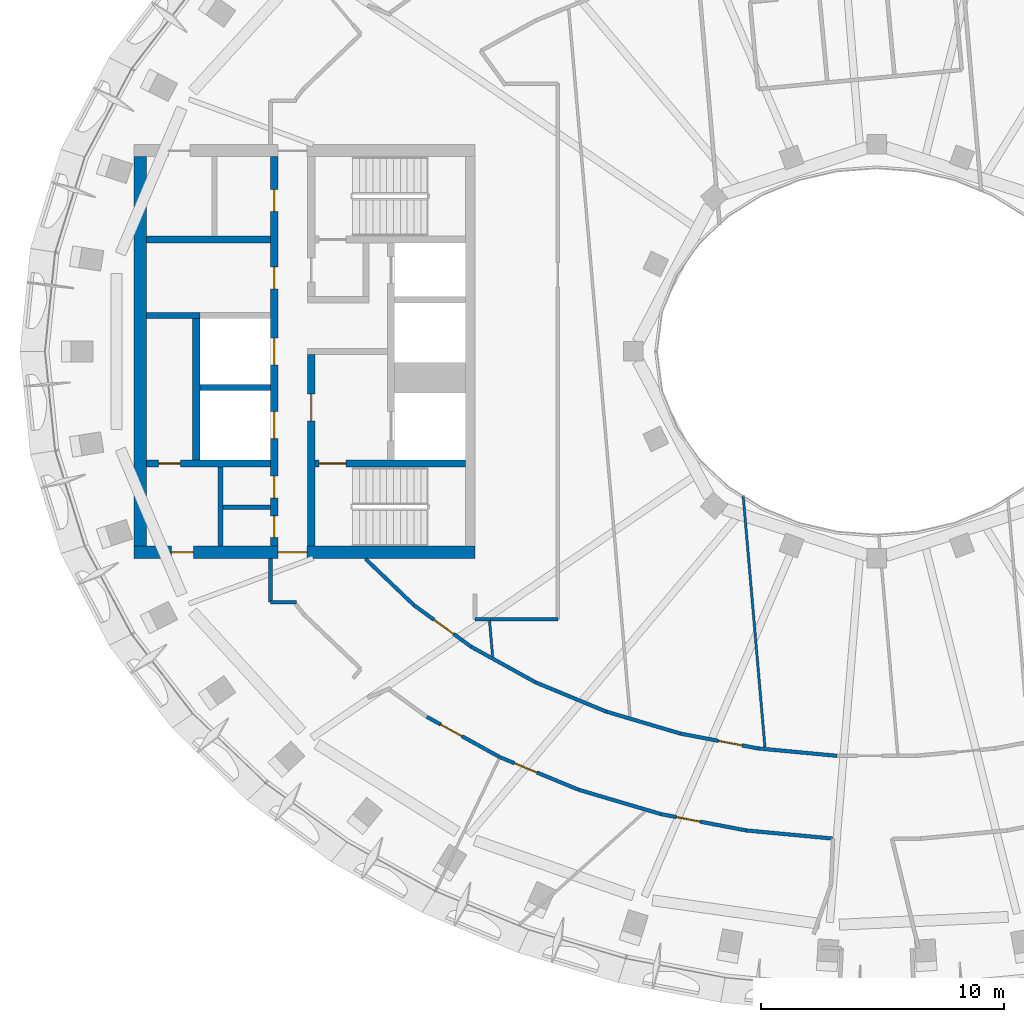
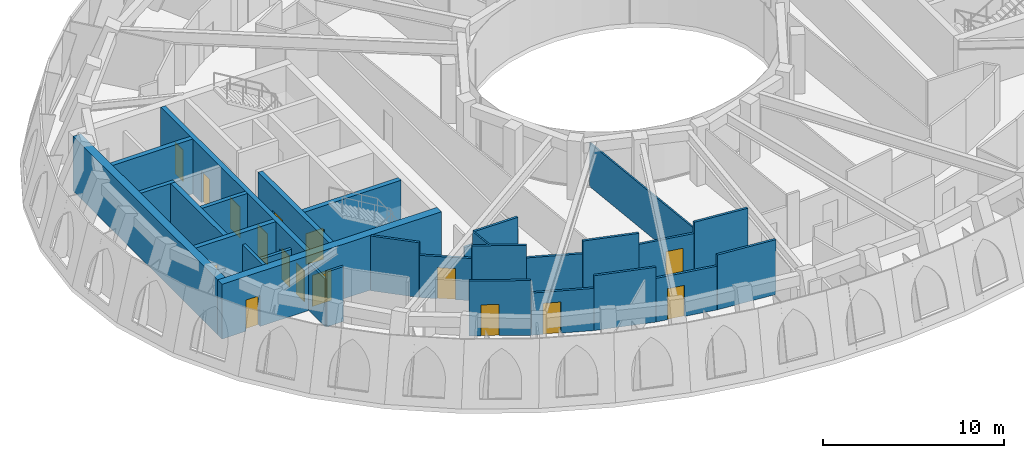
# One storey, part 3 of 14: 30 walls, 16 doors, 16 openings.
"""IFC4 building model written with IfcOpenShell, lengths in metres."""

from ifc_helpers import new_model, si_unit, direction, frame, frame_2d, origin, place, context, subcontext, project, spatial, rectangle, extrude, material, layer, layer_set, type_object, element, fill, save


model = new_model("IFC4")

# Units and contexts
model_context = context("Model", 3, precision=1e-05, world=origin(), true_north=direction((0.0, 1.0)))
body_context = subcontext(model_context, "Body", "Model", "MODEL_VIEW")
ifc_project = project(units=[si_unit("LENGTHUNIT", "METRE"), si_unit("AREAUNIT", "SQUARE_METRE"), si_unit("VOLUMEUNIT", "CUBIC_METRE"), si_unit("PLANEANGLEUNIT", "RADIAN"), si_unit("MASSUNIT", "GRAM", prefix="KILO")], contexts=[model_context])

# Site, building, storey
site_placement = place(None, origin())
site = spatial("IfcSite", under=ifc_project, at=site_placement, CompositionType="ELEMENT")
building_placement = place(site_placement, origin())
building = spatial("IfcBuilding", under=site, at=building_placement, Name="Noorbagh Ring Tower", CompositionType="ELEMENT")
storey_placement = place(building_placement, frame((0.0, 0.0, 339.0)))
storey = spatial("IfcBuildingStorey", under=building, at=storey_placement, Name="L74", CompositionType="ELEMENT", Elevation=339.0)

# Walls
ifc_material_1 = material(Name="Gypsum board on steel studs", Category="steel")
ifc_layer_1 = layer(ifc_material_1, 0.199951171875)
ifc_layer_set_1 = layer_set([ifc_layer_1], Name="Gypsum board on steel studs")
wall_type_1 = type_object("IfcWallType", Name="CORE-PARTITION-200", PredefinedType="PARTITIONING", material=ifc_layer_set_1)
wall_1_placement = place(storey_placement, frame((-26.949951171875, -8.0, 0.0), z_axis=(0.0, 0.0, 1.0), x_axis=(0.0, 1.0, 0.0)))
element("IfcWall", 1, at=wall_1_placement, inside=storey, type_object=wall_type_1, Name="Core partition W", PredefinedType="PARTITIONING", context=body_context, shape_type="SweptSolid", body=[
    extrude(rectangle(XDim=3.25, YDim=0.199951171875, at=frame_2d((1.625, 0.0))), origin(), (0.0, 0.0, 1.0), 2.89990234375),
])
wall_2_placement = place(storey_placement, frame((-24.89990234375, -6.39990234375, 0.0), z_axis=(0.0, 0.0, 1.0), x_axis=(-1.0, 0.0, 0.0)))
element("IfcWall", 2, at=wall_2_placement, inside=storey, type_object=wall_type_1, Name="Core partition W", PredefinedType="PARTITIONING", context=body_context, shape_type="SweptSolid", body=[
    extrude(rectangle(XDim=1.9501953125, YDim=0.199951171875, at=frame_2d((0.97509765625, 0.0))), origin(), (0.0, 0.0, 1.0), 2.89990234375),
])
ifc_material_2 = material(Name="Concrete C50/60", Category="concrete")
ifc_layer_2 = layer(ifc_material_2, 0.25)
ifc_layer_set_2 = layer_set([ifc_layer_2], Name="Concrete C50/60")
wall_type_2 = type_object("IfcWallType", Name="CORE-WALL-250-C50-60-EI120", PredefinedType="SHEAR", material=ifc_layer_set_2)
wall_3_placement = place(storey_placement, frame((-27.800048828125, 1.47509765625, 0.0), z_axis=(0.0, 0.0, 1.0), x_axis=(-1.0, 0.0, 0.0)))
element("IfcWall", 3, at=wall_3_placement, inside=storey, type_object=wall_type_2, Name="Core wall W", PredefinedType="SHEAR", context=body_context, shape_type="SweptSolid", body=[
    extrude(rectangle(XDim=2.199951171875, YDim=0.25, at=frame_2d((1.10009765625, 0.0))), origin(), (0.0, 0.0, 1.0), 3.699951171875),
])
wall_4_placement = place(storey_placement, frame((-24.89990234375, -1.47509765625, 0.0), z_axis=(0.0, 0.0, 1.0), x_axis=(-1.0, 0.0, 0.0)))
element("IfcWall", 4, at=wall_4_placement, inside=storey, type_object=wall_type_2, Name="Core wall W", PredefinedType="SHEAR", context=body_context, shape_type="SweptSolid", body=[
    extrude(rectangle(XDim=2.900146484375, YDim=0.25, at=frame_2d((1.4501953125, 0.0))), origin(), (0.0, 0.0, 1.0), 3.699951171875),
])
ifc_material_3 = material(Name="Concrete C50/60", Category="concrete")
ifc_layer_3 = layer(ifc_material_3, 0.300048828125)
ifc_layer_set_3 = layer_set([ifc_layer_3], Name="Concrete C50/60")
wall_type_3 = type_object("IfcWallType", Name="CORE-WALL-300-C50-60-EI120", PredefinedType="SHEAR", material=ifc_layer_set_3)
wall_5_placement = place(storey_placement, frame((-27.949951171875, -4.449951171875, 0.0), z_axis=(0.0, 0.0, 1.0), x_axis=(0.0, 1.0, 0.0)))
element("IfcWall", 5, at=wall_5_placement, inside=storey, type_object=wall_type_3, Name="Core wall W", PredefinedType="SHEAR", context=body_context, shape_type="SweptSolid", body=[
    extrude(rectangle(XDim=5.800048828125, YDim=0.300048828125, at=frame_2d((2.89990234375, 0.0))), origin(), (0.0, 0.0, 1.0), 3.699951171875),
])

# Wall, openings, doors
wall_6_placement = place(storey_placement, frame((-24.75, -8.0, 0.0), z_axis=(0.0, 0.0, 1.0), x_axis=(0.0, 1.0, 0.0)))
wall_6 = element("IfcWall", 6, at=wall_6_placement, inside=storey, type_object=wall_type_3, Name="Core wall W", PredefinedType="SHEAR", context=body_context, shape_type="SweptSolid", body=[
    extrude(rectangle(XDim=16.0, YDim=0.300048828125, at=frame_2d((8.0, 0.0))), origin(), (0.0, 0.0, 1.0), 3.699951171875),
])
opening_1_placement = place(wall_6_placement, frame((4.425048828125, 0.0, 0.0)))
opening_1 = element("IfcOpeningElement", 7, at=opening_1_placement, cuts=wall_6, Name="Opening L74-CW03", PredefinedType="OPENING", context=body_context, shape_type="SweptSolid", body=[
    extrude(rectangle(XDim=1.10009765625, YDim=2.10009765625, at=frame_2d((0.550048828125, 1.050048828125))), frame((0.0, 0.16015625, 0.0), z_axis=(0.0, -1.0, 0.0), x_axis=(1.0, 0.0, 0.0)), (0.0, 0.0, 1.0), 0.320068359375),
])
opening_2_placement = place(wall_6_placement, frame((7.449951171875, 0.0, 0.0)))
opening_2 = element("IfcOpeningElement", 8, at=opening_2_placement, cuts=wall_6, Name="Opening L74-CW04", PredefinedType="OPENING", context=body_context, shape_type="SweptSolid", body=[
    extrude(rectangle(XDim=1.10009765625, YDim=2.10009765625, at=frame_2d((0.550048828125, 1.050048828125))), frame((0.0, 0.16015625, 0.0), z_axis=(0.0, -1.0, 0.0), x_axis=(1.0, 0.0, 0.0)), (0.0, 0.0, 1.0), 0.320068359375),
])
opening_3_placement = place(wall_6_placement, frame((10.574951171875, 0.0, 0.0)))
opening_3 = element("IfcOpeningElement", 9, at=opening_3_placement, cuts=wall_6, Name="Opening L74-CW11", PredefinedType="OPENING", context=body_context, shape_type="SweptSolid", body=[
    extrude(rectangle(XDim=0.89990234375, YDim=2.10009765625, at=frame_2d((0.449951171875, 1.050048828125))), frame((0.0, 0.16015625, 0.0), z_axis=(0.0, -1.0, 0.0), x_axis=(1.0, 0.0, 0.0)), (0.0, 0.0, 1.0), 0.320068359375),
])
opening_4_placement = place(wall_6_placement, frame((13.75, 0.0, 0.0)))
opening_4 = element("IfcOpeningElement", 10, at=opening_4_placement, cuts=wall_6, Name="Opening L74-CW12", PredefinedType="OPENING", context=body_context, shape_type="SweptSolid", body=[
    extrude(rectangle(XDim=0.89990234375, YDim=2.10009765625, at=frame_2d((0.449951171875, 1.050048828125))), frame((0.0, 0.16015625, 0.0), z_axis=(0.0, -1.0, 0.0), x_axis=(1.0, 0.0, 0.0)), (0.0, 0.0, 1.0), 0.320068359375),
])
opening_5_placement = place(wall_6_placement, frame((1.97509765625, 0.0, 0.0)))
opening_5 = element("IfcOpeningElement", 11, at=opening_5_placement, cuts=wall_6, Name="Opening L74-CW14", PredefinedType="OPENING", context=body_context, shape_type="SweptSolid", body=[
    extrude(rectangle(XDim=0.89990234375, YDim=2.10009765625, at=frame_2d((0.449951171875, 1.050048828125))), frame((0.0, 0.16015625, 0.0), z_axis=(0.0, -1.0, 0.0), x_axis=(1.0, 0.0, 0.0)), (0.0, 0.0, 1.0), 0.320068359375),
])
opening_6_placement = place(wall_6_placement, frame((0.35009765625, 0.0, 0.0)))
opening_6 = element("IfcOpeningElement", 12, at=opening_6_placement, cuts=wall_6, Name="Opening L74-CW15", PredefinedType="OPENING", context=body_context, shape_type="SweptSolid", body=[
    extrude(rectangle(XDim=0.89990234375, YDim=2.10009765625, at=frame_2d((0.449951171875, 1.050048828125))), frame((0.0, 0.16015625, 0.0), z_axis=(0.0, -1.0, 0.0), x_axis=(1.0, 0.0, 0.0)), (0.0, 0.0, 1.0), 0.320068359375),
])
ifc_material_4 = material(Name="Steel door leaf", Category="steel")
door_type_1 = type_object("IfcDoorType", Name="CORE-DOOR-DROOM", OperationType="SINGLE_SWING_LEFT", PredefinedType="DOOR", material=ifc_material_4)
door_1_placement = place(opening_3_placement, origin())
door_1 = element("IfcDoor", 13, at=door_1_placement, inside=storey, type_object=door_type_1, Name="Core room door L74-CW11", OperationType="SINGLE_SWING_RIGHT", OverallHeight=2.10009765625, OverallWidth=0.89990234375, PredefinedType="DOOR", context=body_context, shape_type="SweptSolid", body=[
    extrude(rectangle(XDim=0.89990234375, YDim=2.10009765625, at=frame_2d((0.449951171875, 1.050048828125))), frame((0.0, 0.02490234375, 0.0), z_axis=(0.0, -1.0, 0.0), x_axis=(1.0, 0.0, 0.0)), (0.0, 0.0, 1.0), 0.050048828125),
])
fill(opening_3, door_1)
door_2_placement = place(opening_4_placement, origin())
door_2 = element("IfcDoor", 14, at=door_2_placement, inside=storey, type_object=door_type_1, Name="Core room door L74-CW12", OperationType="SINGLE_SWING_RIGHT", OverallHeight=2.10009765625, OverallWidth=0.89990234375, PredefinedType="DOOR", context=body_context, shape_type="SweptSolid", body=[
    extrude(rectangle(XDim=0.89990234375, YDim=2.10009765625, at=frame_2d((0.449951171875, 1.050048828125))), frame((0.0, 0.02490234375, 0.0), z_axis=(0.0, -1.0, 0.0), x_axis=(1.0, 0.0, 0.0)), (0.0, 0.0, 1.0), 0.050048828125),
])
fill(opening_4, door_2)
door_3_placement = place(opening_5_placement, origin())
door_3 = element("IfcDoor", 15, at=door_3_placement, inside=storey, type_object=door_type_1, Name="Core room door L74-CW14", OperationType="SINGLE_SWING_RIGHT", OverallHeight=2.10009765625, OverallWidth=0.89990234375, PredefinedType="DOOR", context=body_context, shape_type="SweptSolid", body=[
    extrude(rectangle(XDim=0.89990234375, YDim=2.10009765625, at=frame_2d((0.449951171875, 1.050048828125))), frame((0.0, 0.02490234375, 0.0), z_axis=(0.0, -1.0, 0.0), x_axis=(1.0, 0.0, 0.0)), (0.0, 0.0, 1.0), 0.050048828125),
])
fill(opening_5, door_3)
door_4_placement = place(opening_6_placement, origin())
door_4 = element("IfcDoor", 16, at=door_4_placement, inside=storey, type_object=door_type_1, Name="Core room door L74-CW15", OperationType="SINGLE_SWING_LEFT", OverallHeight=2.10009765625, OverallWidth=0.89990234375, PredefinedType="DOOR", context=body_context, shape_type="SweptSolid", body=[
    extrude(rectangle(XDim=0.89990234375, YDim=2.10009765625, at=frame_2d((0.449951171875, 1.050048828125))), frame((0.0, 0.02490234375, 0.0), z_axis=(0.0, -1.0, 0.0), x_axis=(1.0, 0.0, 0.0)), (0.0, 0.0, 1.0), 0.050048828125),
])
fill(opening_6, door_4)
ifc_material_5 = material(Name="Steel door leaf", Category="steel")
door_type_2 = type_object("IfcDoorType", Name="CORE-DOOR-LD", OperationType="DOUBLE_DOOR_SLIDING", PredefinedType="DOOR", material=ifc_material_5)
door_5_placement = place(opening_1_placement, origin())
door_5 = element("IfcDoor", 17, at=door_5_placement, inside=storey, type_object=door_type_2, Name="Landing door HR5 L74-CW03", OperationType="DOUBLE_DOOR_SLIDING", OverallHeight=2.10009765625, OverallWidth=1.10009765625, PredefinedType="DOOR", context=body_context, shape_type="SweptSolid", body=[
    extrude(rectangle(XDim=1.10009765625, YDim=2.10009765625, at=frame_2d((0.550048828125, 1.050048828125))), frame((0.0, 0.02490234375, 0.0), z_axis=(0.0, -1.0, 0.0), x_axis=(1.0, 0.0, 0.0)), (0.0, 0.0, 1.0), 0.050048828125),
])
fill(opening_1, door_5)
door_6_placement = place(opening_2_placement, origin())
door_6 = element("IfcDoor", 18, at=door_6_placement, inside=storey, type_object=door_type_2, Name="Landing door HR6 L74-CW04", OperationType="DOUBLE_DOOR_SLIDING", OverallHeight=2.10009765625, OverallWidth=1.10009765625, PredefinedType="DOOR", context=body_context, shape_type="SweptSolid", body=[
    extrude(rectangle(XDim=1.10009765625, YDim=2.10009765625, at=frame_2d((0.550048828125, 1.050048828125))), frame((0.0, 0.02490234375, 0.0), z_axis=(0.0, -1.0, 0.0), x_axis=(1.0, 0.0, 0.0)), (0.0, 0.0, 1.0), 0.050048828125),
])
fill(opening_2, door_6)

# Wall
ifc_material_6 = material(Name="Concrete C50/60", Category="concrete")
ifc_layer_4 = layer(ifc_material_6, 0.300048828125)
ifc_layer_set_4 = layer_set([ifc_layer_4], Name="Concrete C50/60")
wall_type_4 = type_object("IfcWallType", Name="CORE-WALL-300-C50-60-EI240", PredefinedType="SHEAR", material=ifc_layer_set_4)
wall_7_placement = place(storey_placement, frame((-24.89990234375, 4.60009765625, 0.0), z_axis=(0.0, 0.0, 1.0), x_axis=(-1.0, 0.0, 0.0)))
element("IfcWall", 19, at=wall_7_placement, inside=storey, type_object=wall_type_4, Name="Core wall W", PredefinedType="SHEAR", context=body_context, shape_type="SweptSolid", body=[
    extrude(rectangle(XDim=5.10009765625, YDim=0.300048828125, at=frame_2d((2.550048828125, 0.0))), origin(), (0.0, 0.0, 1.0), 3.699951171875),
])

# Wall, opening, door
wall_8_placement = place(storey_placement, frame((-24.89990234375, -4.60009765625, 0.0), z_axis=(0.0, 0.0, 1.0), x_axis=(-1.0, 0.0, 0.0)))
wall_8 = element("IfcWall", 20, at=wall_8_placement, inside=storey, type_object=wall_type_4, Name="Core wall W", PredefinedType="SHEAR", context=body_context, shape_type="SweptSolid", body=[
    extrude(rectangle(XDim=5.10009765625, YDim=0.300048828125, at=frame_2d((2.550048828125, 0.0))), origin(), (0.0, 0.0, 1.0), 3.699951171875),
])
opening_7_placement = place(wall_8_placement, frame((3.699951171875, 0.0, 0.0)))
opening_7 = element("IfcOpeningElement", 21, at=opening_7_placement, cuts=wall_8, Name="Opening L74-CW17", PredefinedType="OPENING", context=body_context, shape_type="SweptSolid", body=[
    extrude(rectangle(XDim=0.89990234375, YDim=2.10009765625, at=frame_2d((0.449951171875, 1.050048828125))), frame((0.0, 0.16015625, 0.0), z_axis=(0.0, -1.0, 0.0), x_axis=(1.0, 0.0, 0.0)), (0.0, 0.0, 1.0), 0.320068359375),
])
door_7_placement = place(opening_7_placement, origin())
door_7 = element("IfcDoor", 22, at=door_7_placement, inside=storey, type_object=door_type_1, Name="Core room door L74-CW17", OperationType="SINGLE_SWING_RIGHT", OverallHeight=2.10009765625, OverallWidth=0.89990234375, PredefinedType="DOOR", context=body_context, shape_type="SweptSolid", body=[
    extrude(rectangle(XDim=0.89990234375, YDim=2.10009765625, at=frame_2d((0.449951171875, 1.050048828125))), frame((0.0, 0.02490234375, 0.0), z_axis=(0.0, -1.0, 0.0), x_axis=(1.0, 0.0, 0.0)), (0.0, 0.0, 1.0), 0.050048828125),
])
fill(opening_7, door_7)

wall_9_placement = place(storey_placement, frame((-23.22998046875, -8.0, 0.0), z_axis=(0.0, 0.0, 1.0), x_axis=(0.0, 1.0, 0.0)))
wall_9 = element("IfcWall", 23, at=wall_9_placement, inside=storey, type_object=wall_type_4, Name="Core wall W", PredefinedType="SHEAR", context=body_context, shape_type="SweptSolid", body=[
    extrude(rectangle(XDim=7.875, YDim=0.300048828125, at=frame_2d((3.9375, 0.0))), origin(), (0.0, 0.0, 1.0), 3.699951171875),
])
opening_8_placement = place(wall_9_placement, frame((5.14990234375, 0.0, 0.0)))
opening_8 = element("IfcOpeningElement", 24, at=opening_8_placement, cuts=wall_9, Name="Opening L74-CW07", PredefinedType="OPENING", context=body_context, shape_type="SweptSolid", body=[
    extrude(rectangle(XDim=1.10009765625, YDim=2.10009765625, at=frame_2d((0.550048828125, 1.050048828125))), frame((0.0, 0.16015625, 0.0), z_axis=(0.0, -1.0, 0.0), x_axis=(1.0, 0.0, 0.0)), (0.0, 0.0, 1.0), 0.320068359375),
])
ifc_material_7 = material(Name="Steel door leaf", Category="steel")
door_type_3 = type_object("IfcDoorType", Name="CORE-DOOR-DFF", OperationType="SINGLE_SWING_LEFT", PredefinedType="DOOR", material=ifc_material_7)
door_8_placement = place(opening_8_placement, origin())
door_8 = element("IfcDoor", 25, at=door_8_placement, inside=storey, type_object=door_type_3, Name="Firefighting lobby door L74-CW07", OperationType="SINGLE_SWING_LEFT", OverallHeight=2.10009765625, OverallWidth=1.10009765625, PredefinedType="DOOR", context=body_context, shape_type="SweptSolid", body=[
    extrude(rectangle(XDim=1.10009765625, YDim=2.10009765625, at=frame_2d((0.550048828125, 1.050048828125))), frame((0.0, 0.02490234375, 0.0), z_axis=(0.0, -1.0, 0.0), x_axis=(1.0, 0.0, 0.0)), (0.0, 0.0, 1.0), 0.050048828125),
])
fill(opening_8, door_8)

wall_10_placement = place(storey_placement, frame((-16.89990234375, -4.60009765625, 0.0), z_axis=(0.0, 0.0, 1.0), x_axis=(-1.0, 0.0, 0.0)))
wall_10 = element("IfcWall", 26, at=wall_10_placement, inside=storey, type_object=wall_type_4, Name="Core wall W", PredefinedType="SHEAR", context=body_context, shape_type="SweptSolid", body=[
    extrude(rectangle(XDim=6.18017578125, YDim=0.300048828125, at=frame_2d((3.090087890625, 0.0))), origin(), (0.0, 0.0, 1.0), 3.699951171875),
])
opening_9_placement = place(wall_10_placement, frame((4.89990234375, 0.0, 0.0)))
opening_9 = element("IfcOpeningElement", 27, at=opening_9_placement, cuts=wall_10, Name="Opening L74-CW06", PredefinedType="OPENING", context=body_context, shape_type="SweptSolid", body=[
    extrude(rectangle(XDim=1.10009765625, YDim=2.10009765625, at=frame_2d((0.550048828125, 1.050048828125))), frame((0.0, 0.16015625, 0.0), z_axis=(0.0, -1.0, 0.0), x_axis=(1.0, 0.0, 0.0)), (0.0, 0.0, 1.0), 0.320068359375),
])
ifc_material_8 = material(Name="Steel door leaf", Category="steel")
door_type_4 = type_object("IfcDoorType", Name="CORE-DOOR-DSTAIR", OperationType="SINGLE_SWING_LEFT", PredefinedType="DOOR", material=ifc_material_8)
door_9_placement = place(opening_9_placement, origin())
door_9 = element("IfcDoor", 28, at=door_9_placement, inside=storey, type_object=door_type_4, Name="Stair door ST2 L74-CW06", OperationType="SINGLE_SWING_LEFT", OverallHeight=2.10009765625, OverallWidth=1.10009765625, PredefinedType="DOOR", context=body_context, shape_type="SweptSolid", body=[
    extrude(rectangle(XDim=1.10009765625, YDim=2.10009765625, at=frame_2d((0.550048828125, 1.050048828125))), frame((0.0, 0.02490234375, 0.0), z_axis=(0.0, -1.0, 0.0), x_axis=(1.0, 0.0, 0.0)), (0.0, 0.0, 1.0), 0.050048828125),
])
fill(opening_9, door_9)

# Wall, openings, doors
ifc_material_9 = material(Name="Concrete C50/60", Category="concrete")
ifc_layer_5 = layer(ifc_material_9, 0.5)
ifc_layer_set_5 = layer_set([ifc_layer_5], Name="Concrete C50/60")
wall_type_5 = type_object("IfcWallType", Name="CORE-WALL-500-C50-60-EI240", PredefinedType="SHEAR", material=ifc_layer_set_5)
wall_11_placement = place(storey_placement, frame((-16.5, -8.25, 0.0), z_axis=(0.0, 0.0, 1.0), x_axis=(-1.0, 0.0, 0.0)))
wall_11 = element("IfcWall", 29, at=wall_11_placement, inside=storey, type_object=wall_type_5, Name="Core wall W", PredefinedType="SHEAR", context=body_context, shape_type="SweptSolid", body=[
    extrude(rectangle(XDim=14.0, YDim=0.5, at=frame_2d((7.0, 0.0))), origin(), (0.0, 0.0, 1.0), 3.699951171875),
])
opening_10_placement = place(wall_11_placement, frame((6.89990234375, 0.0, 0.0)))
opening_10 = element("IfcOpeningElement", 30, at=opening_10_placement, cuts=wall_11, Name="Opening L74-CW10", PredefinedType="OPENING", context=body_context, shape_type="SweptSolid", body=[
    extrude(rectangle(XDim=1.199951171875, YDim=2.10009765625, at=frame_2d((0.60009765625, 1.050048828125))), frame((0.0, 0.260009765625, 0.0), z_axis=(0.0, -1.0, 0.0), x_axis=(1.0, 0.0, 0.0)), (0.0, 0.0, 1.0), 0.52001953125),
])
opening_11_placement = place(wall_11_placement, frame((11.574951171875, 0.0, 0.0)))
opening_11 = element("IfcOpeningElement", 31, at=opening_11_placement, cuts=wall_11, Name="Opening L74-CW16", PredefinedType="OPENING", context=body_context, shape_type="SweptSolid", body=[
    extrude(rectangle(XDim=0.89990234375, YDim=2.10009765625, at=frame_2d((0.449951171875, 1.050048828125))), frame((0.0, 0.260009765625, 0.0), z_axis=(0.0, -1.0, 0.0), x_axis=(1.0, 0.0, 0.0)), (0.0, 0.0, 1.0), 0.52001953125),
])
door_10_placement = place(opening_11_placement, origin())
door_10 = element("IfcDoor", 32, at=door_10_placement, inside=storey, type_object=door_type_1, Name="Core room door L74-CW16", OperationType="SINGLE_SWING_LEFT", OverallHeight=2.10009765625, OverallWidth=0.89990234375, PredefinedType="DOOR", context=body_context, shape_type="SweptSolid", body=[
    extrude(rectangle(XDim=0.89990234375, YDim=2.10009765625, at=frame_2d((0.449951171875, 1.050048828125))), frame((0.0, 0.02490234375, 0.0), z_axis=(0.0, -1.0, 0.0), x_axis=(1.0, 0.0, 0.0)), (0.0, 0.0, 1.0), 0.050048828125),
])
fill(opening_11, door_10)
ifc_material_10 = material(Name="Steel door leaf", Category="steel")
door_type_5 = type_object("IfcDoorType", Name="CORE-DOOR-PORT", OperationType="DOUBLE_DOOR_DOUBLE_SWING", PredefinedType="DOOR", material=ifc_material_10)
door_11_placement = place(opening_10_placement, origin())
door_11 = element("IfcDoor", 33, at=door_11_placement, inside=storey, type_object=door_type_5, Name="Core entrance door L74-CW10", OperationType="DOUBLE_DOOR_DOUBLE_SWING", OverallHeight=2.10009765625, OverallWidth=1.199951171875, PredefinedType="DOOR", context=body_context, shape_type="SweptSolid", body=[
    extrude(rectangle(XDim=1.199951171875, YDim=2.10009765625, at=frame_2d((0.60009765625, 1.050048828125))), frame((0.0, 0.02490234375, 0.0), z_axis=(0.0, -1.0, 0.0), x_axis=(1.0, 0.0, 0.0)), (0.0, 0.0, 1.0), 0.050048828125),
])
fill(opening_10, door_11)

# Walls
wall_12_placement = place(storey_placement, frame((-30.25, -8.0, 0.0), z_axis=(0.0, 0.0, 1.0), x_axis=(0.0, 1.0, 0.0)))
element("IfcWall", 34, at=wall_12_placement, inside=storey, type_object=wall_type_5, Name="Core wall W", PredefinedType="SHEAR", context=body_context, shape_type="SweptSolid", body=[
    extrude(rectangle(XDim=16.0, YDim=0.5, at=frame_2d((8.0, 0.0))), origin(), (0.0, 0.0, 1.0), 3.699951171875),
])
ifc_material_11 = material(Name="Gypsum board on steel studs", Category="steel")
ifc_layer_6 = layer(ifc_material_11, 0.14990234375)
ifc_layer_set_6 = layer_set([ifc_layer_6], Name="Gypsum board on steel studs")
wall_type_6 = type_object("IfcWallType", Name="CORRIDOR PARTITION 150 EI 30", PredefinedType="PARTITIONING", material=ifc_layer_set_6)
wall_13_placement = place(storey_placement, frame((-24.89990234375, -10.300048828125, 0.0), z_axis=(0.0, 0.0, 1.0), x_axis=(0.0, 1.0, 0.0)))
element("IfcWall", 35, at=wall_13_placement, inside=storey, type_object=wall_type_6, Name="L74/wall/P02", PredefinedType="PARTITIONING", context=body_context, shape_type="SweptSolid", body=[
    extrude(rectangle(XDim=1.800048828125, YDim=0.14990234375, at=frame_2d((0.89990234375, 0.0))), origin(), (0.0, 0.0, 1.0), 3.199951171875),
])
wall_14_placement = place(storey_placement, frame((-24.89990234375, -10.300048828125, 0.0), z_axis=(0.0, 0.0, 1.0), x_axis=(1.0, 0.0, 0.0)))
element("IfcWall", 36, at=wall_14_placement, inside=storey, type_object=wall_type_6, Name="L74/wall/P03", PredefinedType="PARTITIONING", context=body_context, shape_type="SweptSolid", body=[
    extrude(rectangle(XDim=1.074951171875, YDim=0.14990234375, at=frame_2d((0.53759765625, 0.0))), origin(), (0.0, 0.0, 1.0), 3.699951171875),
])
wall_15_placement = place(storey_placement, frame((-21.00390625, -8.513916015625, 0.0), z_axis=(0.0, 0.0, 1.0), x_axis=(0.722453650097, -0.691419354272, 0.0)))
element("IfcWall", 37, at=wall_15_placement, inside=storey, type_object=wall_type_6, Name="L74/wall/P12", PredefinedType="PARTITIONING", context=body_context, shape_type="SweptSolid", body=[
    extrude(rectangle(XDim=2.76123046875, YDim=0.14990234375, at=frame_2d((1.380615234375, 0.0))), origin(), (0.0, 0.0, 1.0), 3.699951171875),
])

# Wall, opening, door
wall_16_placement = place(storey_placement, frame((-19.009033203125, -10.423095703125, 0.0), z_axis=(0.0, 0.0, 1.0), x_axis=(0.809504746519, -0.58711333264, 0.0)))
wall_16 = element("IfcWall", 38, at=wall_16_placement, inside=storey, type_object=wall_type_6, Name="L74/wall/P17", PredefinedType="PARTITIONING", context=body_context, shape_type="SweptSolid", body=[
    extrude(rectangle(XDim=2.9091796875, YDim=0.14990234375, at=frame_2d((1.45458984375, 0.0))), origin(), (0.0, 0.0, 1.0), 2.85009765625),
])
opening_12_placement = place(wall_16_placement, frame((1.00927734375, 0.0, 0.0)))
opening_12 = element("IfcOpeningElement", 39, at=opening_12_placement, cuts=wall_16, Name="Opening D1", PredefinedType="OPENING", context=body_context, shape_type="SweptSolid", body=[
    extrude(rectangle(XDim=1.0, YDim=2.10009765625, at=frame_2d((0.5, 1.050048828125))), frame((0.0, 0.0849609375, 0.0), z_axis=(0.0, -1.0, 0.0), x_axis=(1.0, 0.0, 0.0)), (0.0, 0.0, 1.0), 0.169921875),
])
ifc_material_12 = material(Name="Timber, painted", Category="wood")
door_type_6 = type_object("IfcDoorType", Name="DOOR 1000 X 2100 FD30", OperationType="SINGLE_SWING_LEFT", PredefinedType="DOOR", material=ifc_material_12)
door_12_placement = place(opening_12_placement, origin())
door_12 = element("IfcDoor", 40, at=door_12_placement, inside=storey, type_object=door_type_6, Name="L74-D17", OperationType="SINGLE_SWING_LEFT", OverallHeight=2.10009765625, OverallWidth=1.0, PredefinedType="DOOR", context=body_context, shape_type="SweptSolid", body=[
    extrude(rectangle(XDim=1.0, YDim=2.10009765625, at=frame_2d((0.5, 1.050048828125))), frame((0.0, 0.02490234375, 0.0), z_axis=(0.0, -1.0, 0.0), x_axis=(1.0, 0.0, 0.0)), (0.0, 0.0, 1.0), 0.050048828125),
])
fill(opening_12, door_12)

wall_17_placement = place(storey_placement, frame((-18.48095703125, -15.006103515625, 0.0), z_axis=(0.0, 0.0, 1.0), x_axis=(0.875303781325, -0.483573459154, 0.0)))
wall_17 = element("IfcWall", 41, at=wall_17_placement, inside=storey, type_object=wall_type_6, Name="L74/wall/P18", PredefinedType="PARTITIONING", context=body_context, shape_type="SweptSolid", body=[
    extrude(rectangle(XDim=3.407958984375, YDim=0.14990234375, at=frame_2d((1.7041015625, 0.0))), origin(), (0.0, 0.0, 1.0), 3.699951171875),
])
opening_13_placement = place(wall_17_placement, frame((0.64990234375, 0.0, 0.0)))
opening_13 = element("IfcOpeningElement", 42, at=opening_13_placement, cuts=wall_17, Name="Opening D1", PredefinedType="OPENING", context=body_context, shape_type="SweptSolid", body=[
    extrude(rectangle(XDim=1.0, YDim=2.10009765625, at=frame_2d((0.5, 1.050048828125))), frame((0.0, 0.0849609375, 0.0), z_axis=(0.0, -1.0, 0.0), x_axis=(1.0, 0.0, 0.0)), (0.0, 0.0, 1.0), 0.169921875),
])
door_13_placement = place(opening_13_placement, origin())
door_13 = element("IfcDoor", 43, at=door_13_placement, inside=storey, type_object=door_type_6, Name="L74-D05", OperationType="SINGLE_SWING_LEFT", OverallHeight=2.10009765625, OverallWidth=1.0, PredefinedType="DOOR", context=body_context, shape_type="SweptSolid", body=[
    extrude(rectangle(XDim=1.0, YDim=2.10009765625, at=frame_2d((0.5, 1.050048828125))), frame((0.0, 0.02490234375, 0.0), z_axis=(0.0, -1.0, 0.0), x_axis=(1.0, 0.0, 0.0)), (0.0, 0.0, 1.0), 0.050048828125),
])
fill(opening_13, door_13)

# Walls
wall_18_placement = place(storey_placement, frame((-16.654052734375, -12.131103515625, 0.0), z_axis=(0.0, 0.0, 1.0), x_axis=(0.875276554102, -0.483622739167, 0.0)))
element("IfcWall", 44, at=wall_18_placement, inside=storey, type_object=wall_type_6, Name="L74/wall/P22", PredefinedType="PARTITIONING", context=body_context, shape_type="SweptSolid", body=[
    extrude(rectangle(XDim=3.02880859375, YDim=0.14990234375, at=frame_2d((1.514404296875, 0.0))), origin(), (0.0, 0.0, 1.0), 3.699951171875),
])
wall_19_placement = place(storey_placement, frame((-16.5, -11.0, 0.0), z_axis=(0.0, 0.0, 1.0), x_axis=(1.0, 0.0, 0.0)))
element("IfcWall", 45, at=wall_19_placement, inside=storey, type_object=wall_type_6, Name="L74/wall/P24", PredefinedType="PARTITIONING", context=body_context, shape_type="SweptSolid", body=[
    extrude(rectangle(XDim=0.590087890625, YDim=0.14990234375, at=frame_2d((0.294921875, 0.0))), origin(), (0.0, 0.0, 1.0), 2.85009765625),
])
wall_20_placement = place(storey_placement, frame((-15.889892578125, -11.0, 0.0), z_axis=(0.0, 0.0, 1.0), x_axis=(1.0, 0.0, 0.0)))
element("IfcWall", 46, at=wall_20_placement, inside=storey, type_object=wall_type_6, Name="L74/wall/P28", PredefinedType="PARTITIONING", context=body_context, shape_type="SweptSolid", body=[
    extrude(rectangle(XDim=2.789794921875, YDim=0.14990234375, at=frame_2d((1.39501953125, 0.0))), origin(), (0.0, 0.0, 1.0), 3.699951171875),
])

# Wall, opening, door
wall_21_placement = place(storey_placement, frame((-15.47998046875, -16.6640625, 0.0), z_axis=(0.0, 0.0, 1.0), x_axis=(0.923972515927, -0.38245887336, 0.0)))
wall_21 = element("IfcWall", 47, at=wall_21_placement, inside=storey, type_object=wall_type_6, Name="L74/wall/P29", PredefinedType="PARTITIONING", context=body_context, shape_type="SweptSolid", body=[
    extrude(rectangle(XDim=3.490478515625, YDim=0.14990234375, at=frame_2d((1.7451171875, 0.0))), origin(), (0.0, 0.0, 1.0), 2.85009765625),
])
opening_14_placement = place(wall_21_placement, frame((0.64990234375, 0.0, 0.0)))
opening_14 = element("IfcOpeningElement", 48, at=opening_14_placement, cuts=wall_21, Name="Opening D1", PredefinedType="OPENING", context=body_context, shape_type="SweptSolid", body=[
    extrude(rectangle(XDim=1.0, YDim=2.10009765625, at=frame_2d((0.5, 1.050048828125))), frame((0.0, 0.0849609375, 0.0), z_axis=(0.0, -1.0, 0.0), x_axis=(1.0, 0.0, 0.0)), (0.0, 0.0, 1.0), 0.169921875),
])
door_14_placement = place(opening_14_placement, origin())
door_14 = element("IfcDoor", 49, at=door_14_placement, inside=storey, type_object=door_type_6, Name="L74-D07", OperationType="SINGLE_SWING_LEFT", OverallHeight=2.10009765625, OverallWidth=1.0, PredefinedType="DOOR", context=body_context, shape_type="SweptSolid", body=[
    extrude(rectangle(XDim=1.0, YDim=2.10009765625, at=frame_2d((0.5, 1.050048828125))), frame((0.0, 0.02490234375, 0.0), z_axis=(0.0, -1.0, 0.0), x_axis=(1.0, 0.0, 0.0)), (0.0, 0.0, 1.0), 0.050048828125),
])
fill(opening_14, door_14)

# Walls
wall_22_placement = place(storey_placement, frame((-14.0029296875, -13.595947265625, 0.0), z_axis=(0.0, 0.0, 1.0), x_axis=(0.923937725564, -0.382542911685, 0.0)))
element("IfcWall", 50, at=wall_22_placement, inside=storey, type_object=wall_type_6, Name="L74/wall/P34", PredefinedType="PARTITIONING", context=body_context, shape_type="SweptSolid", body=[
    extrude(rectangle(XDim=3.121337890625, YDim=0.14990234375, at=frame_2d((1.560546875, 0.0))), origin(), (0.0, 0.0, 1.0), 2.85009765625),
])
wall_23_placement = place(storey_placement, frame((-12.2548828125, -17.9990234375, 0.0), z_axis=(0.0, 0.0, 1.0), x_axis=(0.958814835119, -0.284031885456, 0.0)))
element("IfcWall", 51, at=wall_23_placement, inside=storey, type_object=wall_type_6, Name="L74/wall/P38", PredefinedType="PARTITIONING", context=body_context, shape_type="SweptSolid", body=[
    extrude(rectangle(XDim=3.534423828125, YDim=0.14990234375, at=frame_2d((1.76708984375, 0.0))), origin(), (0.0, 0.0, 1.0), 3.699951171875),
])
wall_24_placement = place(storey_placement, frame((-11.118896484375, -14.7900390625, 0.0), z_axis=(0.0, 0.0, 1.0), x_axis=(0.958800429476, -0.284080510482, 0.0)))
element("IfcWall", 52, at=wall_24_placement, inside=storey, type_object=wall_type_6, Name="L74/wall/P40", PredefinedType="PARTITIONING", context=body_context, shape_type="SweptSolid", body=[
    extrude(rectangle(XDim=3.189208984375, YDim=0.14990234375, at=frame_2d((1.5947265625, 0.0))), origin(), (0.0, 0.0, 1.0), 3.699951171875),
])

# Wall, opening, door
wall_25_placement = place(storey_placement, frame((-8.865966796875, -19.0029296875, 0.0), z_axis=(0.0, 0.0, 1.0), x_axis=(0.982136086286, -0.188172017089, 0.0)))
wall_25 = element("IfcWall", 53, at=wall_25_placement, inside=storey, type_object=wall_type_6, Name="L74/wall/P42", PredefinedType="PARTITIONING", context=body_context, shape_type="SweptSolid", body=[
    extrude(rectangle(XDim=3.566650390625, YDim=0.14990234375, at=frame_2d((1.783203125, 0.0))), origin(), (0.0, 0.0, 1.0), 2.949951171875),
])
opening_15_placement = place(wall_25_placement, frame((0.64990234375, 0.0, 0.0)))
opening_15 = element("IfcOpeningElement", 54, at=opening_15_placement, cuts=wall_25, Name="Opening D1", PredefinedType="OPENING", context=body_context, shape_type="SweptSolid", body=[
    extrude(rectangle(XDim=1.0, YDim=2.10009765625, at=frame_2d((0.5, 1.050048828125))), frame((0.0, 0.0849609375, 0.0), z_axis=(0.0, -1.0, 0.0), x_axis=(1.0, 0.0, 0.0)), (0.0, 0.0, 1.0), 0.169921875),
])
door_15_placement = place(opening_15_placement, origin())
door_15 = element("IfcDoor", 55, at=door_15_placement, inside=storey, type_object=door_type_6, Name="L74-D09", OperationType="SINGLE_SWING_LEFT", OverallHeight=2.10009765625, OverallWidth=1.0, PredefinedType="DOOR", context=body_context, shape_type="SweptSolid", body=[
    extrude(rectangle(XDim=1.0, YDim=2.10009765625, at=frame_2d((0.5, 1.050048828125))), frame((0.0, 0.02490234375, 0.0), z_axis=(0.0, -1.0, 0.0), x_axis=(1.0, 0.0, 0.0)), (0.0, 0.0, 1.0), 0.050048828125),
])
fill(opening_15, door_15)

wall_26_placement = place(storey_placement, frame((-8.06103515625, -15.696044921875, 0.0), z_axis=(0.0, 0.0, 1.0), x_axis=(0.982180989815, -0.187937498243, 0.0)))
wall_26 = element("IfcWall", 56, at=wall_26_placement, inside=storey, type_object=wall_type_6, Name="L74/wall/P44", PredefinedType="PARTITIONING", context=body_context, shape_type="SweptSolid", body=[
    extrude(rectangle(XDim=3.234619140625, YDim=0.14990234375, at=frame_2d((1.6171875, 0.0))), origin(), (0.0, 0.0, 1.0), 2.949951171875),
])
opening_16_placement = place(wall_26_placement, frame((1.584716796875, 0.0, 0.0)))
opening_16 = element("IfcOpeningElement", 57, at=opening_16_placement, cuts=wall_26, Name="Opening D1", PredefinedType="OPENING", context=body_context, shape_type="SweptSolid", body=[
    extrude(rectangle(XDim=1.0, YDim=2.10009765625, at=frame_2d((0.5, 1.050048828125))), frame((0.0, 0.0849609375, 0.0), z_axis=(0.0, -1.0, 0.0), x_axis=(1.0, 0.0, 0.0)), (0.0, 0.0, 1.0), 0.169921875),
])
door_16_placement = place(opening_16_placement, origin())
door_16 = element("IfcDoor", 58, at=door_16_placement, inside=storey, type_object=door_type_6, Name="L74-D19", OperationType="SINGLE_SWING_LEFT", OverallHeight=2.10009765625, OverallWidth=1.0, PredefinedType="DOOR", context=body_context, shape_type="SweptSolid", body=[
    extrude(rectangle(XDim=1.0, YDim=2.10009765625, at=frame_2d((0.5, 1.050048828125))), frame((0.0, 0.02490234375, 0.0), z_axis=(0.0, -1.0, 0.0), x_axis=(1.0, 0.0, 0.0)), (0.0, 0.0, 1.0), 0.050048828125),
])
fill(opening_16, door_16)

# Walls
wall_27_placement = place(storey_placement, frame((-5.363037109375, -19.674072265625, 0.0), z_axis=(0.0, 0.0, 1.0), x_axis=(0.995624471691, -0.093444696854, 0.0)))
element("IfcWall", 59, at=wall_27_placement, inside=storey, type_object=wall_type_6, Name="L74/wall/P48", PredefinedType="PARTITIONING", context=body_context, shape_type="SweptSolid", body=[
    extrude(rectangle(XDim=3.563720703125, YDim=0.14990234375, at=frame_2d((1.78173828125, 0.0))), origin(), (0.0, 0.0, 1.0), 3.699951171875),
])
wall_28_placement = place(storey_placement, frame((-4.884033203125, -16.303955078125, 0.0), z_axis=(0.0, 0.0, 1.0), x_axis=(0.995622046736, -0.093470530395, 0.0)))
element("IfcWall", 60, at=wall_28_placement, inside=storey, type_object=wall_type_6, Name="L74/wall/P52", PredefinedType="PARTITIONING", context=body_context, shape_type="SweptSolid", body=[
    extrude(rectangle(XDim=3.262451171875, YDim=0.14990234375, at=frame_2d((1.63134765625, 0.0))), origin(), (0.0, 0.0, 1.0), 3.699951171875),
])
ifc_material_13 = material(Name="Gypsum board on steel studs", Category="steel")
ifc_layer_7 = layer(ifc_material_13, 0.10009765625)
ifc_layer_set_7 = layer_set([ifc_layer_7], Name="Gypsum board on steel studs")
wall_type_7 = type_object("IfcWallType", Name="PARTITION 100 GYPSUM", PredefinedType="PARTITIONING", material=ifc_layer_set_7)
wall_29_placement = place(storey_placement, frame((-15.909912109375, -11.00390625, 0.0), z_axis=(0.0, 0.0, 1.0), x_axis=(0.086353588783, -0.996264552067, 0.0)))
element("IfcWall", 61, at=wall_29_placement, inside=storey, type_object=wall_type_7, Name="L74/wall/P27", PredefinedType="PARTITIONING", context=body_context, shape_type="SweptSolid", body=[
    extrude(rectangle(XDim=1.526611328125, YDim=0.10009765625, at=frame_2d((0.76318359375, 0.0))), origin(), (0.0, 0.0, 1.0), 3.699951171875),
])
wall_30_placement = place(storey_placement, frame((-5.489013671875, -5.90087890625, 0.0), z_axis=(0.0, 0.0, 1.0), x_axis=(0.086331501419, -0.996266466294, 0.0)))
element("IfcWall", 62, at=wall_30_placement, inside=storey, type_object=wall_type_7, Name="L74/wall/P47", PredefinedType="PARTITIONING", context=body_context, shape_type="SweptSolid", body=[
    extrude(rectangle(XDim=10.389892578125, YDim=0.10009765625, at=frame_2d((5.19482421875, 0.0))), origin(), (0.0, 0.0, 1.0), 2.949951171875),
])

save(model, "model.ifc")
